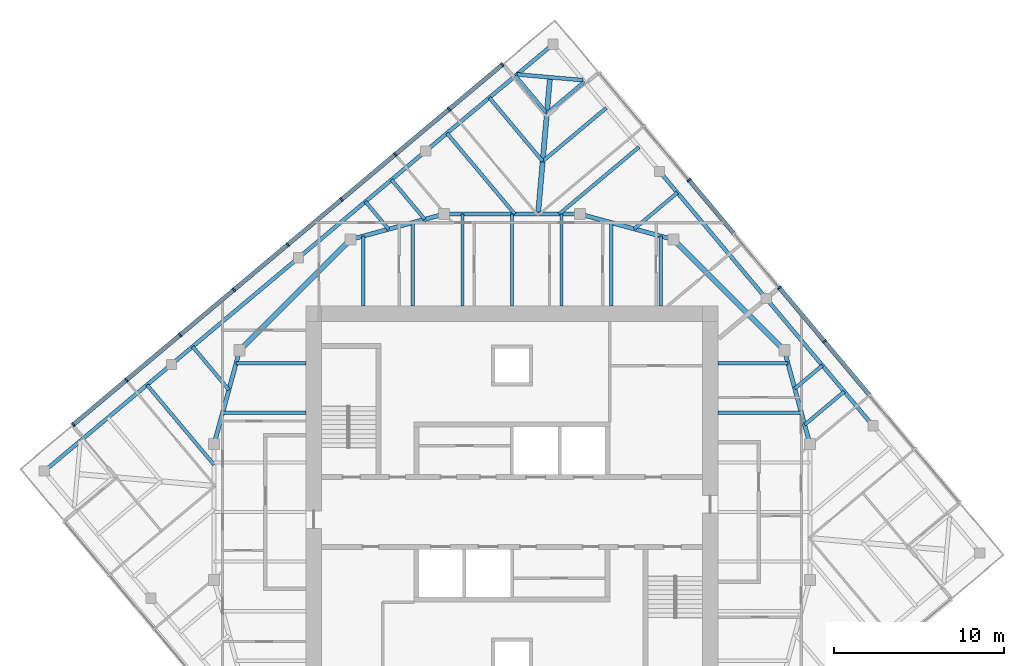
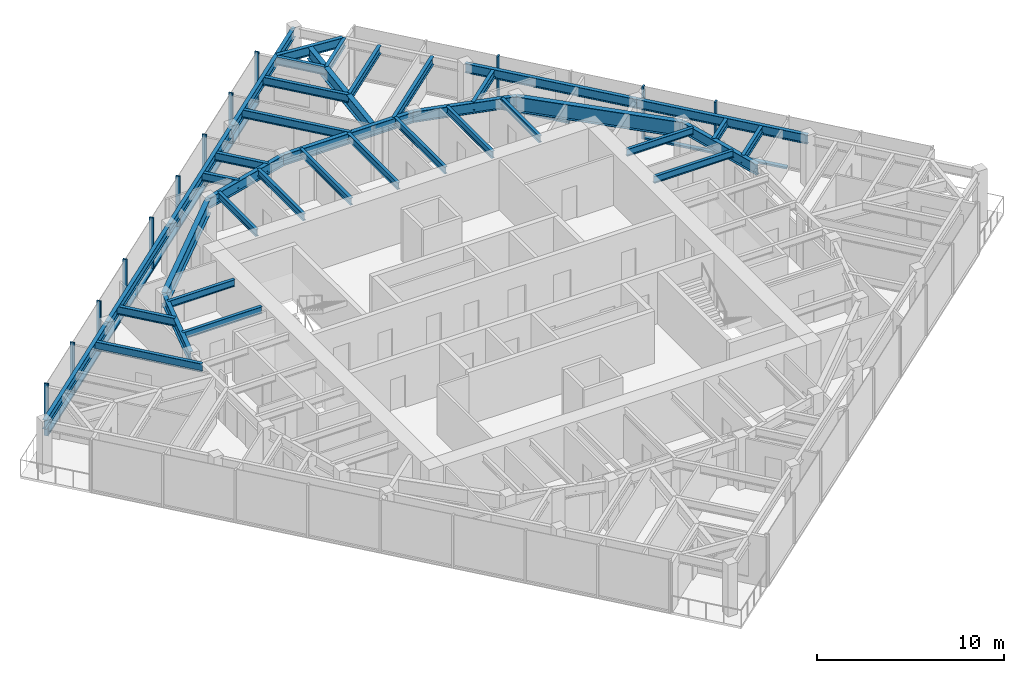
# One storey, part 4 of 12: 39 beams, 23 members, 2 elements without a shape of their own.
"""IFC4 building model written with IfcOpenShell, lengths in metres."""

from ifc_helpers import new_model, si_unit, direction, frame, origin, origin_2d, place, context, subcontext, project, spatial, rectangle, i_section, extrude, material, material_profile, profile_set, type_object, element, aggregate, save


model = new_model("IFC4")

# Units and contexts
model_context = context("Model", 3, precision=1e-05, world=origin(), true_north=direction((0.0, 1.0)))
body_context = subcontext(model_context, "Body", "Model", "MODEL_VIEW")
ifc_project = project(units=[si_unit("LENGTHUNIT", "METRE"), si_unit("AREAUNIT", "SQUARE_METRE"), si_unit("VOLUMEUNIT", "CUBIC_METRE"), si_unit("PLANEANGLEUNIT", "RADIAN"), si_unit("MASSUNIT", "GRAM", prefix="KILO")], contexts=[model_context])

# Site, building, storey
site_placement = place(None, origin())
site = spatial("IfcSite", under=ifc_project, at=site_placement, CompositionType="ELEMENT")
building_placement = place(site_placement, origin())
building = spatial("IfcBuilding", under=site, at=building_placement, Name="Torsade Residences", CompositionType="ELEMENT")
storey_placement = place(building_placement, frame((0.0, 0.0, 279.39990234375)))
storey = spatial("IfcBuildingStorey", under=building, at=storey_placement, Name="L77", CompositionType="ELEMENT", Elevation=279.39990234375)

# Beams
ifc_material_1 = material(Name="Steel grade 300", Category="steel")
ifc_material_profile_1 = material_profile(ifc_material_1, i_section(OverallWidth=0.300048828125, OverallDepth=0.800048828125, WebThickness=0.010009765625, FlangeThickness=0.02001953125, at=origin_2d()), Name="800WB146")
ifc_profile_set_1 = profile_set([ifc_material_profile_1], Name="Steel grade 300")
beam_type_1 = type_object("IfcBeamType", Name="CORNER GIRDER 800WB146", PredefinedType="BEAM", material=ifc_profile_set_1)
beam_1_placement = place(storey_placement, frame((42.234130859375, 55.53515625, 2.85009765625), z_axis=(-0.087172957961, -0.996193191806, 0.0), x_axis=(0.996193191806, -0.087172957961, 0.0)))
element("IfcBeam", 1, at=beam_1_placement, inside=storey, type_object=beam_type_1, Name="Corner girder 09 L78", PredefinedType="BEAM", context=body_context, shape_type="SweptSolid", body=[
    extrude(i_section(OverallWidth=0.300048828125, OverallDepth=0.800048828125, WebThickness=0.010009765625, FlangeThickness=0.02001953125, at=origin_2d()), origin(), (0.0, 0.0, 1.0), 8.06591796875),
])
ifc_material_2 = material(Name="Steel grade 300", Category="steel")
ifc_material_profile_2 = material_profile(ifc_material_2, i_section(OverallWidth=0.22802734375, OverallDepth=0.60205078125, WebThickness=0.010498046875, FlangeThickness=0.014892578125, FilletRadius=0.013916015625, at=origin_2d()), Name="610UB101")
ifc_profile_set_2 = profile_set([ifc_material_profile_2], Name="Steel grade 300")
beam_type_2 = type_object("IfcBeamType", Name="CORNER TRIMMER 610UB101", PredefinedType="BEAM", material=ifc_profile_set_2)
beam_2_placement = place(storey_placement, frame((40.296875, 55.70458984375, 2.94921875), z_axis=(0.996196646947, -0.087133464362, 0.0), x_axis=(0.087133464362, 0.996196646947, 0.0)))
element("IfcBeam", 2, at=beam_2_placement, inside=storey, type_object=beam_type_2, Name="Corner trimmer 09 L78", PredefinedType="BEAM", context=body_context, shape_type="SweptSolid", body=[
    extrude(i_section(OverallWidth=0.22802734375, OverallDepth=0.60205078125, WebThickness=0.010498046875, FlangeThickness=0.014892578125, FilletRadius=0.013916015625, at=origin_2d()), origin(), (0.0, 0.0, 1.0), 3.88916015625),
])
ifc_material_3 = material(Name="Steel grade 300", Category="steel")
ifc_material_profile_3 = material_profile(ifc_material_3, i_section(OverallWidth=0.22802734375, OverallDepth=0.60205078125, WebThickness=0.010498046875, FlangeThickness=0.014892578125, FilletRadius=0.013916015625, at=origin_2d()), Name="610UB101")
ifc_profile_set_3 = profile_set([ifc_material_profile_3], Name="Steel grade 300")
beam_type_3 = type_object("IfcBeamType", Name="EDGE BEAM 610UB101", PredefinedType="SPANDREL", material=ifc_profile_set_3)
for number, where, z_axis, x_axis, name in (
    (3, (61.205078125, 35.0654296875, 2.94921875), (-0.642779160279, 0.766051532934, 0.0), (-0.766051532934, -0.642779160279, 0.0), "Edge beam 06 L78"),
    (4, (54.93798828125, 42.534423828125, 2.94921875), (-0.642806184154, 0.766028856906, 0.0), (-0.766028856906, -0.642806184154, 0.0), "Edge beam 07 L78"),
    (5, (42.403564453125, 57.47216796875, 2.94921875), (-0.766051532934, -0.642779160279, 0.0), (0.642779160279, -0.766051532934, 0.0), "Edge beam 09 L78"),
    (6, (34.9345703125, 51.205078125, 2.94921875), (-0.766051532934, -0.642779160279, 0.0), (0.642779160279, -0.766051532934, 0.0), "Edge beam 10 L78"),
    (7, (27.465576171875, 44.93798828125, 2.94921875), (-0.766028856906, -0.642806184154, 0.0), (0.642806184154, -0.766028856906, 0.0), "Edge beam 11 L78"),
    (8, (19.996826171875, 38.670654296875, 2.94921875), (-0.766051532934, -0.642779160279, 0.0), (0.642779160279, -0.766051532934, 0.0), "Edge beam 12 L78"),
):
    element("IfcBeam", number, at=place(storey_placement, frame(where, z_axis=z_axis, x_axis=x_axis)), inside=storey, type_object=beam_type_3, Name=name, PredefinedType="SPANDREL", context=body_context, shape_type="SweptSolid", body=[
        extrude(i_section(OverallWidth=0.22802734375, OverallDepth=0.60205078125, WebThickness=0.010498046875, FlangeThickness=0.014892578125, FilletRadius=0.013916015625, at=origin_2d()), origin(), (0.0, 0.0, 1.0), 9.75),
    ])

# Curtain wall, members
ifc_material_4 = material(Name="Aluminium and glass", Category="aluminium")
curtain_wall_type = type_object("IfcCurtainWallType", Name="FRITTED GLASS CURTAIN WALL HIGH ZONE", PredefinedType="NOTDEFINED", material=ifc_material_4)
curtain_wall_1_placement = place(storey_placement, origin())
curtain_wall_1 = element("IfcCurtainWall", 9, at=curtain_wall_1_placement, inside=storey, type_object=curtain_wall_type, Name="Curtain wall L77 face 4", PredefinedType="NOTDEFINED")
ifc_material_5 = material(Name="Aluminium mullion", Category="aluminium")
ifc_material_profile_4 = material_profile(ifc_material_5, rectangle(XDim=0.25, YDim=0.10009765625, at=origin_2d()), Name="HIGH ZONE CURTAIN WALL MULLION 250x100")
ifc_profile_set_4 = profile_set([ifc_material_profile_4], Name="Aluminium mullion")
member_type_1 = type_object("IfcMemberType", Name="HIGH ZONE CURTAIN WALL MULLION 250x100", PredefinedType="MULLION", material=ifc_profile_set_4)
member_1_placement = place(storey_placement, frame((58.35546875, 40.017333984375, 0.0), z_axis=(0.0, 0.0, 1.0), x_axis=(-0.766044437106, -0.642787616853, 0.0)))
member_1 = element("IfcMember", 10, at=member_1_placement, type_object=member_type_1, Name="Mullion 4", PredefinedType="MULLION", context=body_context, shape_type="SweptSolid", body=[
    extrude(rectangle(XDim=0.25, YDim=0.10009765625, at=origin_2d()), origin(), (0.0, 0.0, 1.0), 3.400146484375),
])
member_2_placement = place(storey_placement, frame((55.703857421875, 43.17724609375, 0.0), z_axis=(0.0, 0.0, 1.0), x_axis=(-0.766044437106, -0.642787616853, 0.0)))
member_2 = element("IfcMember", 11, at=member_2_placement, type_object=member_type_1, Name="Mullion 5", PredefinedType="MULLION", context=body_context, shape_type="SweptSolid", body=[
    extrude(rectangle(XDim=0.25, YDim=0.10009765625, at=origin_2d()), origin(), (0.0, 0.0, 1.0), 3.400146484375),
])
member_3_placement = place(storey_placement, frame((50.40087890625, 49.4970703125, 0.0), z_axis=(0.0, 0.0, 1.0), x_axis=(-0.766044437106, -0.642787616853, 0.0)))
member_3 = element("IfcMember", 12, at=member_3_placement, type_object=member_type_1, Name="Mullion 7", PredefinedType="MULLION", context=body_context, shape_type="SweptSolid", body=[
    extrude(rectangle(XDim=0.25, YDim=0.10009765625, at=origin_2d()), origin(), (0.0, 0.0, 1.0), 3.400146484375),
])

curtain_wall_2_placement = place(storey_placement, origin())
curtain_wall_2 = element("IfcCurtainWall", 13, at=curtain_wall_2_placement, inside=storey, type_object=curtain_wall_type, Name="Curtain wall L77 face 7", PredefinedType="NOTDEFINED")
member_4_placement = place(storey_placement, frame((39.42431640625, 56.27783203125, 0.0), z_axis=(0.0, 0.0, 1.0), x_axis=(0.642787616853, -0.766044437106, 0.0)))
member_4 = element("IfcMember", 14, at=member_4_placement, type_object=member_type_1, Name="Mullion 1", PredefinedType="MULLION", context=body_context, shape_type="SweptSolid", body=[
    extrude(rectangle(XDim=0.25, YDim=0.10009765625, at=origin_2d()), origin(), (0.0, 0.0, 1.0), 3.400146484375),
])
member_5_placement = place(storey_placement, frame((36.302734375, 53.658447265625, 0.0), z_axis=(0.0, 0.0, 1.0), x_axis=(0.642787616853, -0.766044437106, 0.0)))
member_5 = element("IfcMember", 15, at=member_5_placement, type_object=member_type_1, Name="Mullion 2", PredefinedType="MULLION", context=body_context, shape_type="SweptSolid", body=[
    extrude(rectangle(XDim=0.25, YDim=0.10009765625, at=origin_2d()), origin(), (0.0, 0.0, 1.0), 3.400146484375),
])
member_6_placement = place(storey_placement, frame((33.142822265625, 51.0068359375, 0.0), z_axis=(0.0, 0.0, 1.0), x_axis=(0.642787616853, -0.766044437106, 0.0)))
member_6 = element("IfcMember", 16, at=member_6_placement, type_object=member_type_1, Name="Mullion 3", PredefinedType="MULLION", context=body_context, shape_type="SweptSolid", body=[
    extrude(rectangle(XDim=0.25, YDim=0.10009765625, at=origin_2d()), origin(), (0.0, 0.0, 1.0), 3.400146484375),
])
member_7_placement = place(storey_placement, frame((29.982666015625, 48.35546875, 0.0), z_axis=(0.0, 0.0, 1.0), x_axis=(0.642787616853, -0.766044437106, 0.0)))
member_7 = element("IfcMember", 17, at=member_7_placement, type_object=member_type_1, Name="Mullion 4", PredefinedType="MULLION", context=body_context, shape_type="SweptSolid", body=[
    extrude(rectangle(XDim=0.25, YDim=0.10009765625, at=origin_2d()), origin(), (0.0, 0.0, 1.0), 3.400146484375),
])
member_8_placement = place(storey_placement, frame((26.82275390625, 45.703857421875, 0.0), z_axis=(0.0, 0.0, 1.0), x_axis=(0.642787616853, -0.766044437106, 0.0)))
member_8 = element("IfcMember", 18, at=member_8_placement, type_object=member_type_1, Name="Mullion 5", PredefinedType="MULLION", context=body_context, shape_type="SweptSolid", body=[
    extrude(rectangle(XDim=0.25, YDim=0.10009765625, at=origin_2d()), origin(), (0.0, 0.0, 1.0), 3.400146484375),
])
member_9_placement = place(storey_placement, frame((23.662841796875, 43.052490234375, 0.0), z_axis=(0.0, 0.0, 1.0), x_axis=(0.642787616853, -0.766044437106, 0.0)))
member_9 = element("IfcMember", 19, at=member_9_placement, type_object=member_type_1, Name="Mullion 6", PredefinedType="MULLION", context=body_context, shape_type="SweptSolid", body=[
    extrude(rectangle(XDim=0.25, YDim=0.10009765625, at=origin_2d()), origin(), (0.0, 0.0, 1.0), 3.400146484375),
])
member_10_placement = place(storey_placement, frame((20.5029296875, 40.40087890625, 0.0), z_axis=(0.0, 0.0, 1.0), x_axis=(0.642787616853, -0.766044437106, 0.0)))
member_10 = element("IfcMember", 20, at=member_10_placement, type_object=member_type_1, Name="Mullion 7", PredefinedType="MULLION", context=body_context, shape_type="SweptSolid", body=[
    extrude(rectangle(XDim=0.25, YDim=0.10009765625, at=origin_2d()), origin(), (0.0, 0.0, 1.0), 3.400146484375),
])
member_11_placement = place(storey_placement, frame((17.343017578125, 37.74951171875, 0.0), z_axis=(0.0, 0.0, 1.0), x_axis=(0.642787616853, -0.766044437106, 0.0)))
member_11 = element("IfcMember", 21, at=member_11_placement, type_object=member_type_1, Name="Mullion 8", PredefinedType="MULLION", context=body_context, shape_type="SweptSolid", body=[
    extrude(rectangle(XDim=0.25, YDim=0.10009765625, at=origin_2d()), origin(), (0.0, 0.0, 1.0), 3.400146484375),
])
member_12_placement = place(storey_placement, frame((14.221435546875, 35.130126953125, 0.0), z_axis=(0.0, 0.0, 1.0), x_axis=(0.642787616853, -0.766044437106, 0.0)))
member_12 = element("IfcMember", 22, at=member_12_placement, type_object=member_type_1, Name="Mullion 9", PredefinedType="MULLION", context=body_context, shape_type="SweptSolid", body=[
    extrude(rectangle(XDim=0.25, YDim=0.10009765625, at=origin_2d()), origin(), (0.0, 0.0, 1.0), 3.400146484375),
])

# Member
ifc_material_6 = material(Name="Aluminium transom", Category="aluminium")
ifc_material_profile_5 = material_profile(ifc_material_6, rectangle(XDim=0.25, YDim=0.1201171875, at=origin_2d()), Name="HIGH ZONE CURTAIN WALL TRANSOM 250x120")
ifc_profile_set_5 = profile_set([ifc_material_profile_5], Name="Aluminium transom")
member_type_2 = type_object("IfcMemberType", Name="HIGH ZONE CURTAIN WALL TRANSOM 250x120", PredefinedType="USERDEFINED", material=ifc_profile_set_5)
member_13_placement = place(storey_placement, frame((60.974853515625, 36.8955078125, 0.06005859375), z_axis=(-0.642793719372, 0.766039316443, 0.0), x_axis=(-0.766039316443, -0.642793719372, 0.0)))
member_13 = element("IfcMember", 23, at=member_13_placement, type_object=member_type_2, Name="Transom 3.1", ObjectType="TRANSOM", PredefinedType="USERDEFINED", context=body_context, shape_type="SweptSolid", body=[
    extrude(rectangle(XDim=0.25, YDim=0.1201171875, at=origin_2d()), origin(), (0.0, 0.0, 1.0), 4.025146484375),
])

member_14_placement = place(storey_placement, frame((58.3232421875, 40.055419921875, 0.06005859375), z_axis=(-0.6427581255, 0.766069182322, 0.0), x_axis=(-0.766069182322, -0.6427581255, 0.0)))
member_14 = element("IfcMember", 24, at=member_14_placement, type_object=member_type_2, Name="Transom 4.1", ObjectType="TRANSOM", PredefinedType="USERDEFINED", context=body_context, shape_type="SweptSolid", body=[
    extrude(rectangle(XDim=0.25, YDim=0.1201171875, at=origin_2d()), origin(), (0.0, 0.0, 1.0), 4.025146484375),
])

member_15_placement = place(storey_placement, frame((53.020263671875, 46.37548828125, 0.06005859375), z_axis=(-0.642787992616, 0.766044121803, 0.0), x_axis=(-0.766044121803, -0.642787992616, 0.0)))
member_15 = element("IfcMember", 25, at=member_15_placement, type_object=member_type_2, Name="Transom 6.1", ObjectType="TRANSOM", PredefinedType="USERDEFINED", context=body_context, shape_type="SweptSolid", body=[
    extrude(rectangle(XDim=0.25, YDim=0.1201171875, at=origin_2d()), origin(), (0.0, 0.0, 1.0), 4.02490234375),
])

aggregate(curtain_wall_1, [member_1, member_2, member_3, member_13, member_14, member_15])

member_16_placement = place(storey_placement, frame((39.385986328125, 56.24560546875, 0.06005859375), z_axis=(-0.766021778456, -0.642814619413, 0.0), x_axis=(0.642814619413, -0.766021778456, 0.0)))
member_16 = element("IfcMember", 26, at=member_16_placement, type_object=member_type_2, Name="Transom 1.1", ObjectType="TRANSOM", PredefinedType="USERDEFINED", context=body_context, shape_type="SweptSolid", body=[
    extrude(rectangle(XDim=0.25, YDim=0.1201171875, at=origin_2d()), origin(), (0.0, 0.0, 1.0), 3.97509765625),
])

member_17_placement = place(storey_placement, frame((36.264404296875, 53.626220703125, 0.06005859375), z_axis=(-0.766069182322, -0.6427581255, 0.0), x_axis=(0.6427581255, -0.766069182322, 0.0)))
member_17 = element("IfcMember", 27, at=member_17_placement, type_object=member_type_2, Name="Transom 2.1", ObjectType="TRANSOM", PredefinedType="USERDEFINED", context=body_context, shape_type="SweptSolid", body=[
    extrude(rectangle(XDim=0.25, YDim=0.1201171875, at=origin_2d()), origin(), (0.0, 0.0, 1.0), 4.025146484375),
])

member_18_placement = place(storey_placement, frame((33.1044921875, 50.974853515625, 0.06005859375), z_axis=(-0.766039316443, -0.642793719372, 0.0), x_axis=(0.642793719372, -0.766039316443, 0.0)))
member_18 = element("IfcMember", 28, at=member_18_placement, type_object=member_type_2, Name="Transom 3.1", ObjectType="TRANSOM", PredefinedType="USERDEFINED", context=body_context, shape_type="SweptSolid", body=[
    extrude(rectangle(XDim=0.25, YDim=0.1201171875, at=origin_2d()), origin(), (0.0, 0.0, 1.0), 4.025146484375),
])

member_19_placement = place(storey_placement, frame((29.944580078125, 48.3232421875, 0.06005859375), z_axis=(-0.766069182322, -0.6427581255, 0.0), x_axis=(0.6427581255, -0.766069182322, 0.0)))
member_19 = element("IfcMember", 29, at=member_19_placement, type_object=member_type_2, Name="Transom 4.1", ObjectType="TRANSOM", PredefinedType="USERDEFINED", context=body_context, shape_type="SweptSolid", body=[
    extrude(rectangle(XDim=0.25, YDim=0.1201171875, at=origin_2d()), origin(), (0.0, 0.0, 1.0), 4.025146484375),
])

member_20_placement = place(storey_placement, frame((26.78466796875, 45.671875, 0.06005859375), z_axis=(-0.766039316443, -0.642793719372, 0.0), x_axis=(0.642793719372, -0.766039316443, 0.0)))
member_20 = element("IfcMember", 30, at=member_20_placement, type_object=member_type_2, Name="Transom 5.1", ObjectType="TRANSOM", PredefinedType="USERDEFINED", context=body_context, shape_type="SweptSolid", body=[
    extrude(rectangle(XDim=0.25, YDim=0.1201171875, at=origin_2d()), origin(), (0.0, 0.0, 1.0), 4.025146484375),
])

member_21_placement = place(storey_placement, frame((23.62451171875, 43.020263671875, 0.06005859375), z_axis=(-0.766044121803, -0.642787992616, 0.0), x_axis=(0.642787992616, -0.766044121803, 0.0)))
member_21 = element("IfcMember", 31, at=member_21_placement, type_object=member_type_2, Name="Transom 6.1", ObjectType="TRANSOM", PredefinedType="USERDEFINED", context=body_context, shape_type="SweptSolid", body=[
    extrude(rectangle(XDim=0.25, YDim=0.1201171875, at=origin_2d()), origin(), (0.0, 0.0, 1.0), 4.02490234375),
])

member_22_placement = place(storey_placement, frame((20.464599609375, 40.36865234375, 0.06005859375), z_axis=(-0.766044121803, -0.642787992616, 0.0), x_axis=(0.642787992616, -0.766044121803, 0.0)))
member_22 = element("IfcMember", 32, at=member_22_placement, type_object=member_type_2, Name="Transom 7.1", ObjectType="TRANSOM", PredefinedType="USERDEFINED", context=body_context, shape_type="SweptSolid", body=[
    extrude(rectangle(XDim=0.25, YDim=0.1201171875, at=origin_2d()), origin(), (0.0, 0.0, 1.0), 4.02490234375),
])

member_23_placement = place(storey_placement, frame((17.3046875, 37.71728515625, 0.06005859375), z_axis=(-0.766021778456, -0.642814619413, 0.0), x_axis=(0.642814619413, -0.766021778456, 0.0)))
member_23 = element("IfcMember", 33, at=member_23_placement, type_object=member_type_2, Name="Transom 8.1", ObjectType="TRANSOM", PredefinedType="USERDEFINED", context=body_context, shape_type="SweptSolid", body=[
    extrude(rectangle(XDim=0.25, YDim=0.1201171875, at=origin_2d()), origin(), (0.0, 0.0, 1.0), 3.97509765625),
])

aggregate(curtain_wall_2, [member_4, member_5, member_6, member_7, member_8, member_9, member_10, member_11, member_12, member_16, member_17, member_18, member_19, member_20, member_21, member_22, member_23])

# Beams
ifc_material_7 = material(Name="Steel grade 300", Category="steel")
ifc_material_profile_6 = material_profile(ifc_material_7, i_section(OverallWidth=0.18994140625, OverallDepth=0.4541015625, WebThickness=0.008544921875, FlangeThickness=0.0126953125, FilletRadius=0.011474609375, at=origin_2d()), Name="460UB67.1")
ifc_profile_set_6 = profile_set([ifc_material_profile_6], Name="Steel grade 300")
beam_type_4 = type_object("IfcBeamType", Name="INNER FLOOR BEAM 460UB67.1", PredefinedType="JOIST", material=ifc_profile_set_6)
beam_3_placement = place(storey_placement, frame((31.262451171875, 42.10009765625, 3.023193359375), z_axis=(0.0, 1.0, 0.0), x_axis=(-1.0, 0.0, 0.0)))
element("IfcBeam", 34, at=beam_3_placement, inside=storey, type_object=beam_type_4, Name="Inner floor beam IN01 L78", PredefinedType="JOIST", context=body_context, shape_type="SweptSolid", body=[
    extrude(i_section(OverallWidth=0.18994140625, OverallDepth=0.4541015625, WebThickness=0.008544921875, FlangeThickness=0.0126953125, FilletRadius=0.011474609375, at=origin_2d()), origin(), (0.0, 0.0, 1.0), 4.10791015625),
])
beam_4_placement = place(storey_placement, frame((34.175048828125, 42.10009765625, 3.023193359375), z_axis=(0.0, 1.0, 0.0), x_axis=(-1.0, 0.0, 0.0)))
element("IfcBeam", 35, at=beam_4_placement, inside=storey, type_object=beam_type_4, Name="Inner floor beam IN02 L78", PredefinedType="JOIST", context=body_context, shape_type="SweptSolid", body=[
    extrude(i_section(OverallWidth=0.18994140625, OverallDepth=0.4541015625, WebThickness=0.008544921875, FlangeThickness=0.0126953125, FilletRadius=0.011474609375, at=origin_2d()), origin(), (0.0, 0.0, 1.0), 4.902099609375),
])
for number, where, z_axis, x_axis, name in (
    (36, (37.08740234375, 42.10009765625, 3.023193359375), (0.0, 1.0, 0.0), (-1.0, 0.0, 0.0), "Inner floor beam IN03 L78"),
    (37, (40.0, 42.10009765625, 3.023193359375), (0.0, 1.0, 0.0), (-1.0, 0.0, 0.0), "Inner floor beam IN04 L78"),
    (38, (42.91259765625, 42.10009765625, 3.023193359375), (0.0, 1.0, 0.0), (-1.0, 0.0, 0.0), "Inner floor beam IN05 L78"),
):
    element("IfcBeam", number, at=place(storey_placement, frame(where, z_axis=z_axis, x_axis=x_axis)), inside=storey, type_object=beam_type_4, Name=name, PredefinedType="JOIST", context=body_context, shape_type="SweptSolid", body=[
        extrude(i_section(OverallWidth=0.18994140625, OverallDepth=0.4541015625, WebThickness=0.008544921875, FlangeThickness=0.0126953125, FilletRadius=0.011474609375, at=origin_2d()), origin(), (0.0, 0.0, 1.0), 5.39990234375),
    ])
beam_5_placement = place(storey_placement, frame((45.824951171875, 42.10009765625, 3.023193359375), z_axis=(0.0, 1.0, 0.0), x_axis=(-1.0, 0.0, 0.0)))
element("IfcBeam", 39, at=beam_5_placement, inside=storey, type_object=beam_type_4, Name="Inner floor beam IN06 L78", PredefinedType="JOIST", context=body_context, shape_type="SweptSolid", body=[
    extrude(i_section(OverallWidth=0.18994140625, OverallDepth=0.4541015625, WebThickness=0.008544921875, FlangeThickness=0.0126953125, FilletRadius=0.011474609375, at=origin_2d()), origin(), (0.0, 0.0, 1.0), 4.902099609375),
])
beam_6_placement = place(storey_placement, frame((48.737548828125, 42.10009765625, 3.023193359375), z_axis=(0.0, 1.0, 0.0), x_axis=(-1.0, 0.0, 0.0)))
element("IfcBeam", 40, at=beam_6_placement, inside=storey, type_object=beam_type_4, Name="Inner floor beam IN07 L78", PredefinedType="JOIST", context=body_context, shape_type="SweptSolid", body=[
    extrude(i_section(OverallWidth=0.18994140625, OverallDepth=0.4541015625, WebThickness=0.008544921875, FlangeThickness=0.0126953125, FilletRadius=0.011474609375, at=origin_2d()), origin(), (0.0, 0.0, 1.0), 4.10791015625),
])
beam_7_placement = place(storey_placement, frame((52.10009765625, 35.824951171875, 3.023193359375), z_axis=(1.0, 0.0, 0.0), x_axis=(0.0, 1.0, 0.0)))
element("IfcBeam", 41, at=beam_7_placement, inside=storey, type_object=beam_type_4, Name="Inner floor beam IE06 L78", PredefinedType="JOIST", context=body_context, shape_type="SweptSolid", body=[
    extrude(i_section(OverallWidth=0.18994140625, OverallDepth=0.4541015625, WebThickness=0.008544921875, FlangeThickness=0.0126953125, FilletRadius=0.011474609375, at=origin_2d()), origin(), (0.0, 0.0, 1.0), 4.902099609375),
])
for number, where, z_axis, x_axis, name in (
    (42, (52.10009765625, 38.737548828125, 3.023193359375), (1.0, 0.0, 0.0), (0.0, 1.0, 0.0), "Inner floor beam IE07 L78"),
    (43, (27.89990234375, 38.737548828125, 3.023193359375), (-1.0, 0.0, 0.0), (0.0, -1.0, 0.0), "Inner floor beam IW01 L78"),
):
    element("IfcBeam", number, at=place(storey_placement, frame(where, z_axis=z_axis, x_axis=x_axis)), inside=storey, type_object=beam_type_4, Name=name, PredefinedType="JOIST", context=body_context, shape_type="SweptSolid", body=[
        extrude(i_section(OverallWidth=0.18994140625, OverallDepth=0.4541015625, WebThickness=0.008544921875, FlangeThickness=0.0126953125, FilletRadius=0.011474609375, at=origin_2d()), origin(), (0.0, 0.0, 1.0), 4.10791015625),
    ])
beam_8_placement = place(storey_placement, frame((27.89990234375, 35.824951171875, 3.023193359375), z_axis=(-1.0, 0.0, 0.0), x_axis=(0.0, -1.0, 0.0)))
element("IfcBeam", 44, at=beam_8_placement, inside=storey, type_object=beam_type_4, Name="Inner floor beam IW02 L78", PredefinedType="JOIST", context=body_context, shape_type="SweptSolid", body=[
    extrude(i_section(OverallWidth=0.18994140625, OverallDepth=0.4541015625, WebThickness=0.008544921875, FlangeThickness=0.0126953125, FilletRadius=0.011474609375, at=origin_2d()), origin(), (0.0, 0.0, 1.0), 4.902099609375),
])
ifc_material_8 = material(Name="Steel grade 300", Category="steel")
ifc_material_profile_7 = material_profile(ifc_material_8, i_section(OverallWidth=0.300048828125, OverallDepth=1.0, WebThickness=0.01611328125, FlangeThickness=0.028076171875, at=origin_2d()), Name="1000WB215")
ifc_profile_set_7 = profile_set([ifc_material_profile_7], Name="Steel grade 300")
beam_type_5 = type_object("IfcBeamType", Name="RING CORNER GIRDER 1000WB215", PredefinedType="BEAM", material=ifc_profile_set_7)
for number, where, z_axis, x_axis, name in (
    (45, (56.0, 39.5, 2.75), (-0.707106781187, 0.707106781187, 0.0), (-0.707106781187, -0.707106781187, 0.0), "Ring girder IR03 L78"),
    (46, (30.5, 46.0, 2.75), (-0.707106781187, -0.707106781187, 0.0), (0.707106781187, -0.707106781187, 0.0), "Ring girder IR07 L78"),
):
    element("IfcBeam", number, at=place(storey_placement, frame(where, z_axis=z_axis, x_axis=x_axis)), inside=storey, type_object=beam_type_5, Name=name, PredefinedType="BEAM", context=body_context, shape_type="SweptSolid", body=[
        extrude(i_section(OverallWidth=0.300048828125, OverallDepth=1.0, WebThickness=0.01611328125, FlangeThickness=0.028076171875, at=origin_2d()), origin(), (0.0, 0.0, 1.0), 9.1923828125),
    ])
ifc_material_9 = material(Name="Steel grade 300", Category="steel")
ifc_material_profile_8 = material_profile(ifc_material_9, i_section(OverallWidth=0.25, OverallDepth=0.699951171875, WebThickness=0.010009765625, FlangeThickness=0.02001953125, at=origin_2d()), Name="700WB130")
ifc_profile_set_8 = profile_set([ifc_material_profile_8], Name="Steel grade 300")
beam_type_6 = type_object("IfcBeamType", Name="RING GIRDER 700WB130", PredefinedType="BEAM", material=ifc_profile_set_8)
for number, where, z_axis, x_axis, name in (
    (47, (57.5, 34.0, 2.900146484375), (-0.263117405792, 0.964763821238, 0.0), (-0.964763821238, -0.263117405792, 0.0), "Ring girder IR02 L78"),
    (48, (49.5, 46.0, 2.900146484375), (-0.964763821238, 0.263117405792, 0.0), (-0.263117405792, -0.964763821238, 0.0), "Ring girder IR04 L78"),
):
    element("IfcBeam", number, at=place(storey_placement, frame(where, z_axis=z_axis, x_axis=x_axis)), inside=storey, type_object=beam_type_6, Name=name, PredefinedType="BEAM", context=body_context, shape_type="SweptSolid", body=[
        extrude(i_section(OverallWidth=0.25, OverallDepth=0.699951171875, WebThickness=0.010009765625, FlangeThickness=0.02001953125, at=origin_2d()), origin(), (0.0, 0.0, 1.0), 5.700927734375),
    ])
beam_9_placement = place(storey_placement, frame((44.0, 47.5, 2.900146484375), z_axis=(-1.0, 0.0, 0.0), x_axis=(0.0, -1.0, 0.0)))
element("IfcBeam", 49, at=beam_9_placement, inside=storey, type_object=beam_type_6, Name="Ring girder IR05 L78", PredefinedType="BEAM", context=body_context, shape_type="SweptSolid", body=[
    extrude(i_section(OverallWidth=0.25, OverallDepth=0.699951171875, WebThickness=0.010009765625, FlangeThickness=0.02001953125, at=origin_2d()), origin(), (0.0, 0.0, 1.0), 8.0),
])
for number, where, z_axis, x_axis, name in (
    (50, (36.0, 47.5, 2.900146484375), (-0.964763821238, -0.263117405792, 0.0), (0.263117405792, -0.964763821238, 0.0), "Ring girder IR06 L78"),
    (51, (24.0, 39.5, 2.900146484375), (-0.263117405792, -0.964763821238, 0.0), (0.964763821238, -0.263117405792, 0.0), "Ring girder IR08 L78"),
):
    element("IfcBeam", number, at=place(storey_placement, frame(where, z_axis=z_axis, x_axis=x_axis)), inside=storey, type_object=beam_type_6, Name=name, PredefinedType="BEAM", context=body_context, shape_type="SweptSolid", body=[
        extrude(i_section(OverallWidth=0.25, OverallDepth=0.699951171875, WebThickness=0.010009765625, FlangeThickness=0.02001953125, at=origin_2d()), origin(), (0.0, 0.0, 1.0), 5.700927734375),
    ])
ifc_material_10 = material(Name="Steel grade 300", Category="steel")
ifc_material_profile_9 = material_profile(ifc_material_10, i_section(OverallWidth=0.208984375, OverallDepth=0.532958984375, WebThickness=0.01025390625, FlangeThickness=0.015625, FilletRadius=0.013916015625, at=origin_2d()), Name="530UB92.4")
ifc_profile_set_9 = profile_set([ifc_material_profile_9], Name="Steel grade 300")
beam_type_7 = type_object("IfcBeamType", Name="SECONDARY BEAM 530UB92.4", PredefinedType="JOIST", material=ifc_profile_set_9)
beam_10_placement = place(storey_placement, frame((59.517822265625, 37.076171875, 2.983642578125), z_axis=(-0.766080361029, -0.64274480196, 0.0), x_axis=(0.64274480196, -0.766080361029, 0.0)))
element("IfcBeam", 52, at=beam_10_placement, inside=storey, type_object=beam_type_7, Name="Floor beam FE04 L78", PredefinedType="JOIST", context=body_context, shape_type="SweptSolid", body=[
    extrude(i_section(OverallWidth=0.208984375, OverallDepth=0.532958984375, WebThickness=0.01025390625, FlangeThickness=0.015625, FilletRadius=0.013916015625, at=origin_2d()), origin(), (0.0, 0.0, 1.0), 3.03466796875),
])
beam_11_placement = place(storey_placement, frame((58.232177734375, 38.6083984375, 2.983642578125), z_axis=(-0.766057560226, -0.642771977004, 0.0), x_axis=(0.642771977004, -0.766057560226, 0.0)))
element("IfcBeam", 53, at=beam_11_placement, inside=storey, type_object=beam_type_7, Name="Floor beam FE05 L78", PredefinedType="JOIST", context=body_context, shape_type="SweptSolid", body=[
    extrude(i_section(OverallWidth=0.208984375, OverallDepth=0.532958984375, WebThickness=0.01025390625, FlangeThickness=0.015625, FilletRadius=0.013916015625, at=origin_2d()), origin(), (0.0, 0.0, 1.0), 2.113037109375),
])
beam_12_placement = place(storey_placement, frame((49.71533203125, 48.758544921875, 2.983642578125), z_axis=(-0.766044990879, -0.642786956891, 0.0), x_axis=(0.642786956891, -0.766044990879, 0.0)))
element("IfcBeam", 54, at=beam_12_placement, inside=storey, type_object=beam_type_7, Name="Floor beam FE09 L78", PredefinedType="JOIST", context=body_context, shape_type="SweptSolid", body=[
    extrude(i_section(OverallWidth=0.208984375, OverallDepth=0.532958984375, WebThickness=0.01025390625, FlangeThickness=0.015625, FilletRadius=0.013916015625, at=origin_2d()), origin(), (0.0, 0.0, 1.0), 3.307861328125),
])
beam_13_placement = place(storey_placement, frame((47.465576171875, 51.439697265625, 2.983642578125), z_axis=(-0.766039049329, -0.642794037701, 0.0), x_axis=(0.642794037701, -0.766039049329, 0.0)))
element("IfcBeam", 55, at=beam_13_placement, inside=storey, type_object=beam_type_7, Name="Floor beam FE10 L78", PredefinedType="JOIST", context=body_context, shape_type="SweptSolid", body=[
    extrude(i_section(OverallWidth=0.208984375, OverallDepth=0.532958984375, WebThickness=0.01025390625, FlangeThickness=0.015625, FilletRadius=0.013916015625, at=origin_2d()), origin(), (0.0, 0.0, 1.0), 6.12890625),
])
beam_14_placement = place(storey_placement, frame((45.537109375, 53.73779296875, 2.983642578125), z_axis=(-0.766041186946, -0.642791490223, 0.0), x_axis=(0.642791490223, -0.766041186946, 0.0)))
element("IfcBeam", 56, at=beam_14_placement, inside=storey, type_object=beam_type_7, Name="Floor beam FE11 L78", PredefinedType="JOIST", context=body_context, shape_type="SweptSolid", body=[
    extrude(i_section(OverallWidth=0.208984375, OverallDepth=0.532958984375, WebThickness=0.01025390625, FlangeThickness=0.015625, FilletRadius=0.013916015625, at=origin_2d()), origin(), (0.0, 0.0, 1.0), 4.875),
])
for number, where, z_axis, x_axis, name in (
    (57, (44.25146484375, 55.269775390625, 2.983642578125), (-0.766066093402, -0.642761807001, 0.0), (0.642761807001, -0.766066093402, 0.0), "Floor beam FE12 L78"),
    (58, (40.201171875, 55.624267578125, 2.983642578125), (0.642761807001, -0.766066093402, 0.0), (0.766066093402, 0.642761807001, 0.0), "Floor beam FN01 L78"),
):
    element("IfcBeam", number, at=place(storey_placement, frame(where, z_axis=z_axis, x_axis=x_axis)), inside=storey, type_object=beam_type_7, Name=name, PredefinedType="JOIST", context=body_context, shape_type="SweptSolid", body=[
        extrude(i_section(OverallWidth=0.208984375, OverallDepth=0.532958984375, WebThickness=0.01025390625, FlangeThickness=0.015625, FilletRadius=0.013916015625, at=origin_2d()), origin(), (0.0, 0.0, 1.0), 2.875),
    ])
beam_15_placement = place(storey_placement, frame((38.6689453125, 54.338623046875, 2.983642578125), z_axis=(0.642820877376, -0.766016526982, 0.0), x_axis=(0.766016526982, 0.642820877376, 0.0)))
element("IfcBeam", 59, at=beam_15_placement, inside=storey, type_object=beam_type_7, Name="Floor beam FN02 L78", PredefinedType="JOIST", context=body_context, shape_type="SweptSolid", body=[
    extrude(i_section(OverallWidth=0.208984375, OverallDepth=0.532958984375, WebThickness=0.01025390625, FlangeThickness=0.015625, FilletRadius=0.013916015625, at=origin_2d()), origin(), (0.0, 0.0, 1.0), 4.875),
])
beam_16_placement = place(storey_placement, frame((36.179443359375, 52.24951171875, 2.983642578125), z_axis=(0.642791209238, -0.766041422722, 0.0), x_axis=(0.766041422722, 0.642791209238, 0.0)))
element("IfcBeam", 60, at=beam_16_placement, inside=storey, type_object=beam_type_7, Name="Floor beam FN03 L78", PredefinedType="JOIST", context=body_context, shape_type="SweptSolid", body=[
    extrude(i_section(OverallWidth=0.208984375, OverallDepth=0.532958984375, WebThickness=0.01025390625, FlangeThickness=0.015625, FilletRadius=0.013916015625, at=origin_2d()), origin(), (0.0, 0.0, 1.0), 6.199951171875),
])
beam_17_placement = place(storey_placement, frame((32.923828125, 49.517822265625, 2.983642578125), z_axis=(0.64274480196, -0.766080361029, 0.0), x_axis=(0.766080361029, 0.64274480196, 0.0)))
element("IfcBeam", 61, at=beam_17_placement, inside=storey, type_object=beam_type_7, Name="Floor beam FN04 L78", PredefinedType="JOIST", context=body_context, shape_type="SweptSolid", body=[
    extrude(i_section(OverallWidth=0.208984375, OverallDepth=0.532958984375, WebThickness=0.01025390625, FlangeThickness=0.015625, FilletRadius=0.013916015625, at=origin_2d()), origin(), (0.0, 0.0, 1.0), 3.03466796875),
])
beam_18_placement = place(storey_placement, frame((31.3916015625, 48.232177734375, 2.983642578125), z_axis=(0.642771977004, -0.766057560226, 0.0), x_axis=(0.766057560226, 0.642771977004, 0.0)))
element("IfcBeam", 62, at=beam_18_placement, inside=storey, type_object=beam_type_7, Name="Floor beam FN05 L78", PredefinedType="JOIST", context=body_context, shape_type="SweptSolid", body=[
    extrude(i_section(OverallWidth=0.208984375, OverallDepth=0.532958984375, WebThickness=0.01025390625, FlangeThickness=0.015625, FilletRadius=0.013916015625, at=origin_2d()), origin(), (0.0, 0.0, 1.0), 2.113037109375),
])
beam_19_placement = place(storey_placement, frame((21.241455078125, 39.71533203125, 2.983642578125), z_axis=(0.642786956891, -0.766044990879, 0.0), x_axis=(0.766044990879, 0.642786956891, 0.0)))
element("IfcBeam", 63, at=beam_19_placement, inside=storey, type_object=beam_type_7, Name="Floor beam FN09 L78", PredefinedType="JOIST", context=body_context, shape_type="SweptSolid", body=[
    extrude(i_section(OverallWidth=0.208984375, OverallDepth=0.532958984375, WebThickness=0.01025390625, FlangeThickness=0.015625, FilletRadius=0.013916015625, at=origin_2d()), origin(), (0.0, 0.0, 1.0), 3.307861328125),
])
beam_20_placement = place(storey_placement, frame((18.560302734375, 37.465576171875, 2.983642578125), z_axis=(0.642794037701, -0.766039049329, 0.0), x_axis=(0.766039049329, 0.642794037701, 0.0)))
element("IfcBeam", 64, at=beam_20_placement, inside=storey, type_object=beam_type_7, Name="Floor beam FN10 L78", PredefinedType="JOIST", context=body_context, shape_type="SweptSolid", body=[
    extrude(i_section(OverallWidth=0.208984375, OverallDepth=0.532958984375, WebThickness=0.01025390625, FlangeThickness=0.015625, FilletRadius=0.013916015625, at=origin_2d()), origin(), (0.0, 0.0, 1.0), 6.12890625),
])

save(model, "model.ifc")
